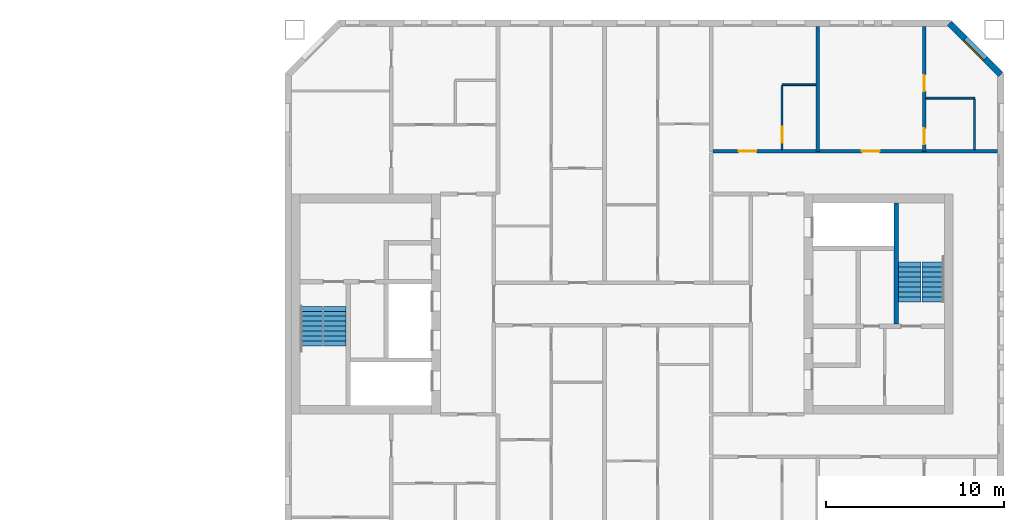
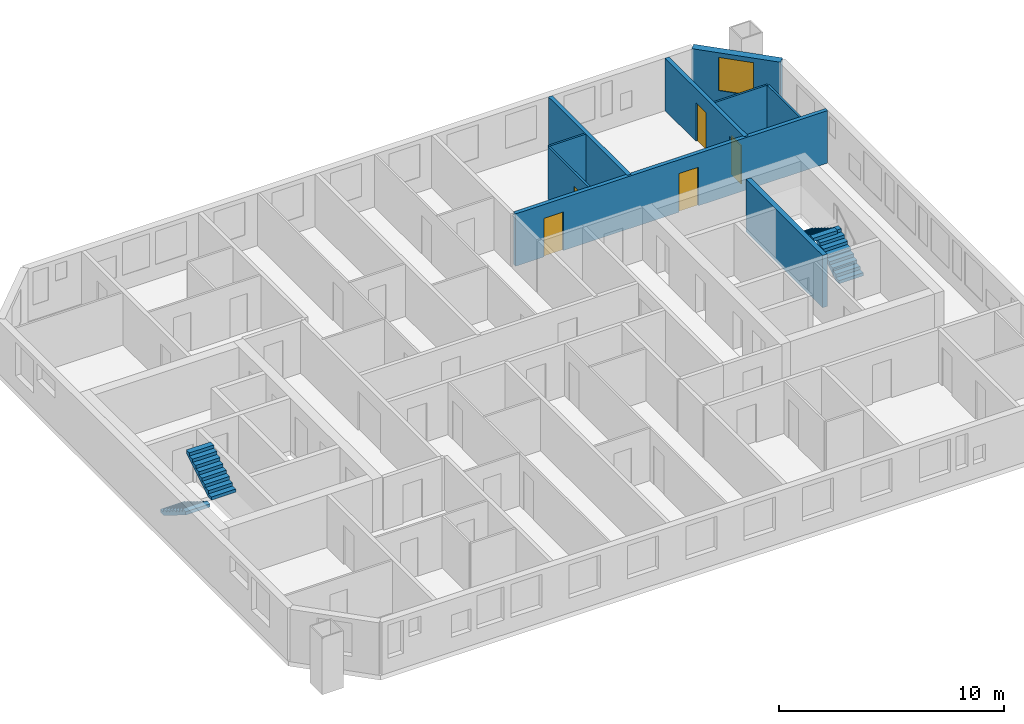
# One storey, part 14 of 16: 9 walls, 5 doors, 4 stair flights, 1 window, 6 openings, 2 elements without a shape of their own.
"""IFC4 building model written with IfcOpenShell, lengths in metres."""

from ifc_helpers import new_model, si_unit, direction, frame, frame_2d, origin, place, context, subcontext, project, spatial, polyline, rectangle, outline, extrude, material, layer, layer_set, type_object, element, fill, aggregate, save


model = new_model("IFC4")

# Units and contexts
model_context = context("Model", 3, precision=1e-05, world=origin(), true_north=direction((0.0, 1.0)))
body_context = subcontext(model_context, "Body", "Model", "MODEL_VIEW")
ifc_project = project(units=[si_unit("LENGTHUNIT", "METRE"), si_unit("AREAUNIT", "SQUARE_METRE"), si_unit("VOLUMEUNIT", "CUBIC_METRE"), si_unit("PLANEANGLEUNIT", "RADIAN"), si_unit("MASSUNIT", "GRAM", prefix="KILO")], contexts=[model_context])

# Site, building, storey
site_placement = place(None, origin())
site = spatial("IfcSite", under=ifc_project, at=site_placement, CompositionType="ELEMENT")
building_placement = place(site_placement, origin())
building = spatial("IfcBuilding", under=site, at=building_placement, Name="Tuart Gate Housing", CompositionType="ELEMENT")
storey_placement = place(building_placement, frame((0.0, 0.0, 151.60009765625)))
storey = spatial("IfcBuildingStorey", under=building, at=storey_placement, Name="L42", CompositionType="ELEMENT", Elevation=151.60009765625)

# Wall, opening, window
ifc_material_1 = material(Name="Brick", Category="masonry")
ifc_layer_1 = layer(ifc_material_1, 0.360107421875)
ifc_layer_set_1 = layer_set([ifc_layer_1], Name="Brick pier and spandrel wall 360")
wall_type_1 = type_object("IfcWallType", Name="Brick pier and spandrel wall 360", PredefinedType="STANDARD", material=ifc_layer_set_1)
wall_1_placement = place(storey_placement, frame((171.320068359375, 82.92529296875, 0.0), z_axis=(0.0, 0.0, 1.0), x_axis=(-0.707106781187, 0.707106781187, 0.0)))
wall_1 = element("IfcWall", 1, at=wall_1_placement, inside=storey, type_object=wall_type_1, Name="External wall B-NE L42", PredefinedType="STANDARD", context=body_context, shape_type="SweptSolid", body=[
    extrude(rectangle(XDim=4.09375, YDim=0.360107421875, at=frame_2d((2.046875, 0.0))), origin(), (0.0, 0.0, 1.0), 2.849853515625),
])
opening_1_placement = place(wall_1_placement, frame((1.2470703125, 0.0, 0.800048828125)))
opening_1 = element("IfcOpeningElement", 2, at=opening_1_placement, cuts=wall_1, Name="Opening W1", PredefinedType="OPENING", context=body_context, shape_type="SweptSolid", body=[
    extrude(rectangle(XDim=1.60009765625, YDim=1.800048828125, at=frame_2d((0.800048828125, 0.89990234375))), frame((0.0, 0.18994140625, 0.0), z_axis=(0.0, -1.0, 0.0), x_axis=(1.0, 0.0, 0.0)), (0.0, 0.0, 1.0), 0.380126953125),
])
ifc_material_2 = material(Name="Aluminium frame with clear glass", Category="aluminium")
window_type = type_object("IfcWindowType", Name="Punched window 1600 x 1800", PartitioningType="SINGLE_PANEL", PredefinedType="WINDOW", material=ifc_material_2)
window_placement = place(opening_1_placement, origin())
window = element("IfcWindow", 3, at=window_placement, inside=storey, type_object=window_type, Name="Window W1", OverallHeight=1.800048828125, OverallWidth=1.60009765625, PartitioningType="SINGLE_PANEL", PredefinedType="WINDOW", context=body_context, shape_type="SweptSolid", body=[
    extrude(rectangle(XDim=1.60009765625, YDim=1.800048828125, at=frame_2d((0.800048828125, 0.89990234375))), frame((0.0, 0.150146484375, 0.0), z_axis=(0.0, -1.0, 0.0), x_axis=(1.0, 0.0, 0.0)), (0.0, 0.0, 1.0), 0.06005859375),
])
fill(opening_1, window)

# Wall
ifc_material_3 = material(Name="Concrete C40", Category="concrete")
ifc_layer_2 = layer(ifc_material_3, 0.25)
ifc_layer_set_2 = layer_set([ifc_layer_2], Name="Core wall 250 C40")
wall_type_2 = type_object("IfcWallType", Name="Core wall 250 C40", PredefinedType="SHEAR", material=ifc_layer_set_2)
wall_2_placement = place(storey_placement, frame((165.43994140625, 75.699951171875, 0.0), z_axis=(0.0, 0.0, 1.0), x_axis=(0.0, -1.0, 0.0)))
element("IfcWall", 4, at=wall_2_placement, inside=storey, type_object=wall_type_2, Name="Core wall BK.7", PredefinedType="SHEAR", context=body_context, shape_type="SweptSolid", body=[
    extrude(rectangle(XDim=6.824951171875, YDim=0.25, at=frame_2d((3.41259765625, 0.0))), origin(), (0.0, 0.0, 1.0), 2.849853515625),
])

# Wall, openings, doors
ifc_material_4 = material(Name="Concrete masonry 15 MPa", Category="masonry")
ifc_layer_3 = layer(ifc_material_4, 0.199951171875)
ifc_layer_set_3 = layer_set([ifc_layer_3], Name="Corridor wall masonry 200")
wall_type_3 = type_object("IfcWallType", Name="Corridor wall masonry 200", PredefinedType="PARTITIONING", material=ifc_layer_set_3)
wall_3_placement = place(storey_placement, frame((155.10009765625, 78.60009765625, 0.0), z_axis=(0.0, 0.0, 1.0), x_axis=(1.0, 0.0, 0.0)))
wall_3 = element("IfcWall", 5, at=wall_3_placement, inside=storey, type_object=wall_type_3, Name="Corridor wall masonry 200", PredefinedType="PARTITIONING", context=body_context, shape_type="SweptSolid", body=[
    extrude(rectangle(XDim=16.039794921875, YDim=0.199951171875, at=frame_2d((8.02001953125, 0.0))), origin(), (0.0, 0.0, 1.0), 2.849853515625),
])
opening_2_placement = place(wall_3_placement, frame((1.449951171875, 0.0, 0.0)))
opening_2 = element("IfcOpeningElement", 6, at=opening_2_placement, cuts=wall_3, Name="Opening D1581", PredefinedType="OPENING", context=body_context, shape_type="SweptSolid", body=[
    extrude(rectangle(XDim=1.0, YDim=2.10009765625, at=frame_2d((0.5, 1.050048828125))), frame((0.0, 0.10986328125, 0.0), z_axis=(0.0, -1.0, 0.0), x_axis=(1.0, 0.0, 0.0)), (0.0, 0.0, 1.0), 0.219970703125),
])
opening_3_placement = place(wall_3_placement, frame((8.39990234375, 0.0, 0.0)))
opening_3 = element("IfcOpeningElement", 7, at=opening_3_placement, cuts=wall_3, Name="Opening D1582", PredefinedType="OPENING", context=body_context, shape_type="SweptSolid", body=[
    extrude(rectangle(XDim=1.0, YDim=2.10009765625, at=frame_2d((0.5, 1.050048828125))), frame((0.0, 0.10986328125, 0.0), z_axis=(0.0, -1.0, 0.0), x_axis=(1.0, 0.0, 0.0)), (0.0, 0.0, 1.0), 0.219970703125),
])
ifc_material_5 = material(Name="Timber door leaf in steel frame", Category="steel")
door_type_1 = type_object("IfcDoorType", Name="Flat entrance door 1000", OperationType="SINGLE_SWING_LEFT", PredefinedType="DOOR", material=ifc_material_5)
door_1_placement = place(opening_3_placement, origin())
door_1 = element("IfcDoor", 8, at=door_1_placement, inside=storey, type_object=door_type_1, Name="Flat entrance door", OperationType="SINGLE_SWING_LEFT", OverallHeight=2.10009765625, OverallWidth=1.0, PredefinedType="DOOR", context=body_context, shape_type="SweptSolid", body=[
    extrude(rectangle(XDim=1.0, YDim=2.10009765625, at=frame_2d((0.5, 1.050048828125))), frame((0.0, 0.02490234375, 0.0), z_axis=(0.0, -1.0, 0.0), x_axis=(1.0, 0.0, 0.0)), (0.0, 0.0, 1.0), 0.050048828125),
])
fill(opening_3, door_1)
ifc_material_6 = material(Name="Timber door leaf in steel frame", Category="steel")
door_type_2 = type_object("IfcDoorType", Name="Flat entrance door 1000 RH", OperationType="SINGLE_SWING_RIGHT", PredefinedType="DOOR", material=ifc_material_6)
door_2_placement = place(opening_2_placement, origin())
door_2 = element("IfcDoor", 9, at=door_2_placement, inside=storey, type_object=door_type_2, Name="Flat entrance door", OperationType="SINGLE_SWING_RIGHT", OverallHeight=2.10009765625, OverallWidth=1.0, PredefinedType="DOOR", context=body_context, shape_type="SweptSolid", body=[
    extrude(rectangle(XDim=1.0, YDim=2.10009765625, at=frame_2d((0.5, 1.050048828125))), frame((0.0, 0.02490234375, 0.0), z_axis=(0.0, -1.0, 0.0), x_axis=(1.0, 0.0, 0.0)), (0.0, 0.0, 1.0), 0.050048828125),
])
fill(opening_2, door_2)

# Walls
ifc_material_7 = material(Name="Gypsum board on steel studs", Category="steel")
ifc_layer_4 = layer(ifc_material_7, 0.10009765625)
ifc_layer_set_4 = layer_set([ifc_layer_4], Name="Partition 100")
wall_type_4 = type_object("IfcWallType", Name="Partition 100", PredefinedType="PARTITIONING", material=ifc_layer_set_4)
wall_4_placement = place(storey_placement, frame((167.10009765625, 81.60009765625, 0.0), z_axis=(0.0, 0.0, 1.0), x_axis=(1.0, 0.0, 0.0)))
element("IfcWall", 10, at=wall_4_placement, inside=storey, type_object=wall_type_4, Name="Partition 100", PredefinedType="PARTITIONING", context=body_context, shape_type="SweptSolid", body=[
    extrude(rectangle(XDim=2.739990234375, YDim=0.10009765625, at=frame_2d((1.3701171875, 0.0))), origin(), (0.0, 0.0, 1.0), 2.849853515625),
])
wall_5_placement = place(storey_placement, frame((159.0, 82.35009765625, 0.0), z_axis=(0.0, 0.0, 1.0), x_axis=(1.0, 0.0, 0.0)))
element("IfcWall", 11, at=wall_5_placement, inside=storey, type_object=wall_type_4, Name="Partition 100", PredefinedType="PARTITIONING", context=body_context, shape_type="SweptSolid", body=[
    extrude(rectangle(XDim=1.89990234375, YDim=0.10009765625, at=frame_2d((0.949951171875, 0.0))), origin(), (0.0, 0.0, 1.0), 2.849853515625),
])

# Wall, opening, door
wall_6_placement = place(storey_placement, frame((159.0, 78.699951171875, 0.0), z_axis=(0.0, 0.0, 1.0), x_axis=(0.0, 1.0, 0.0)))
wall_6 = element("IfcWall", 12, at=wall_6_placement, inside=storey, type_object=wall_type_4, Name="Partition 100", PredefinedType="PARTITIONING", context=body_context, shape_type="SweptSolid", body=[
    extrude(rectangle(XDim=3.60009765625, YDim=0.10009765625, at=frame_2d((1.800048828125, 0.0))), origin(), (0.0, 0.0, 1.0), 2.849853515625),
])
opening_4_placement = place(wall_6_placement, frame((0.39990234375, 0.0, 0.0)))
opening_4 = element("IfcOpeningElement", 13, at=opening_4_placement, cuts=wall_6, Name="Opening D1577", PredefinedType="OPENING", context=body_context, shape_type="SweptSolid", body=[
    extrude(rectangle(XDim=0.89990234375, YDim=2.10009765625, at=frame_2d((0.449951171875, 1.050048828125))), frame((0.0, 0.06005859375, 0.0), z_axis=(0.0, -1.0, 0.0), x_axis=(1.0, 0.0, 0.0)), (0.0, 0.0, 1.0), 0.1201171875),
])
ifc_material_8 = material(Name="Timber door leaf in steel frame", Category="steel")
door_type_3 = type_object("IfcDoorType", Name="Bathroom door 900 RH", OperationType="SINGLE_SWING_RIGHT", PredefinedType="DOOR", material=ifc_material_8)
door_3_placement = place(opening_4_placement, frame((0.89990234375, 0.0, 0.0), z_axis=(0.0, 0.0, 1.0), x_axis=(-1.0, 0.0, 0.0)))
door_3 = element("IfcDoor", 14, at=door_3_placement, inside=storey, type_object=door_type_3, Name="Bathroom door", OperationType="SINGLE_SWING_RIGHT", OverallHeight=2.10009765625, OverallWidth=0.89990234375, PredefinedType="DOOR", context=body_context, shape_type="SweptSolid", body=[
    extrude(rectangle(XDim=0.89990234375, YDim=2.10009765625, at=frame_2d((0.449951171875, 1.050048828125))), frame((0.0, 0.025146484375, 0.0), z_axis=(0.0, -1.0, 0.0), x_axis=(1.0, 0.0, 0.0)), (0.0, 0.0, 1.0), 0.050048828125),
])
fill(opening_4, door_3)

# Walls
wall_7_placement = place(storey_placement, frame((169.840087890625, 78.699951171875, 0.0), z_axis=(0.0, 0.0, 1.0), x_axis=(0.0, 1.0, 0.0)))
element("IfcWall", 15, at=wall_7_placement, inside=storey, type_object=wall_type_4, Name="Partition 100", PredefinedType="PARTITIONING", context=body_context, shape_type="SweptSolid", body=[
    extrude(rectangle(XDim=2.85009765625, YDim=0.10009765625, at=frame_2d((1.425048828125, 0.0))), origin(), (0.0, 0.0, 1.0), 2.849853515625),
])
ifc_material_9 = material(Name="Concrete C40", Category="concrete")
ifc_layer_5 = layer(ifc_material_9, 0.199951171875)
ifc_layer_set_5 = layer_set([ifc_layer_5], Name="Party wall concrete C40 200")
wall_type_5 = type_object("IfcWallType", Name="Party wall concrete C40 200", PredefinedType="SOLIDWALL", material=ifc_layer_set_5)
wall_8_placement = place(storey_placement, frame((161.0, 78.60009765625, 0.0), z_axis=(0.0, 0.0, 1.0), x_axis=(0.0, 1.0, 0.0)))
element("IfcWall", 16, at=wall_8_placement, inside=storey, type_object=wall_type_5, Name="Party wall concrete C40 200", PredefinedType="SOLIDWALL", context=body_context, shape_type="SweptSolid", body=[
    extrude(rectangle(XDim=7.039794921875, YDim=0.199951171875, at=frame_2d((3.52001953125, 0.0))), origin(), (0.0, 0.0, 1.0), 2.849853515625),
])

# Wall, openings, doors
wall_9_placement = place(storey_placement, frame((167.0, 78.60009765625, 0.0), z_axis=(0.0, 0.0, 1.0), x_axis=(0.0, 1.0, 0.0)))
wall_9 = element("IfcWall", 17, at=wall_9_placement, inside=storey, type_object=wall_type_5, Name="Party wall concrete C40 200", PredefinedType="SOLIDWALL", context=body_context, shape_type="SweptSolid", body=[
    extrude(rectangle(XDim=7.039794921875, YDim=0.199951171875, at=frame_2d((3.52001953125, 0.0))), origin(), (0.0, 0.0, 1.0), 2.849853515625),
])
opening_5_placement = place(wall_9_placement, frame((3.39990234375, 0.0, 0.0)))
opening_5 = element("IfcOpeningElement", 18, at=opening_5_placement, cuts=wall_9, Name="Opening D1574", PredefinedType="OPENING", context=body_context, shape_type="SweptSolid", body=[
    extrude(rectangle(XDim=0.89990234375, YDim=2.10009765625, at=frame_2d((0.449951171875, 1.050048828125))), frame((0.0, 0.10986328125, 0.0), z_axis=(0.0, -1.0, 0.0), x_axis=(1.0, 0.0, 0.0)), (0.0, 0.0, 1.0), 0.219970703125),
])
opening_6_placement = place(wall_9_placement, frame((0.39990234375, 0.0, 0.0)))
opening_6 = element("IfcOpeningElement", 19, at=opening_6_placement, cuts=wall_9, Name="Opening D1573", PredefinedType="OPENING", context=body_context, shape_type="SweptSolid", body=[
    extrude(rectangle(XDim=0.89990234375, YDim=2.10009765625, at=frame_2d((0.449951171875, 1.050048828125))), frame((0.0, 0.10986328125, 0.0), z_axis=(0.0, -1.0, 0.0), x_axis=(1.0, 0.0, 0.0)), (0.0, 0.0, 1.0), 0.219970703125),
])
door_4_placement = place(opening_6_placement, frame((0.89990234375, 0.0, 0.0), z_axis=(0.0, 0.0, 1.0), x_axis=(-1.0, 0.0, 0.0)))
door_4 = element("IfcDoor", 20, at=door_4_placement, inside=storey, type_object=door_type_3, Name="Bathroom door", OperationType="SINGLE_SWING_RIGHT", OverallHeight=2.10009765625, OverallWidth=0.89990234375, PredefinedType="DOOR", context=body_context, shape_type="SweptSolid", body=[
    extrude(rectangle(XDim=0.89990234375, YDim=2.10009765625, at=frame_2d((0.449951171875, 1.050048828125))), frame((0.0, 0.025146484375, 0.0), z_axis=(0.0, -1.0, 0.0), x_axis=(1.0, 0.0, 0.0)), (0.0, 0.0, 1.0), 0.050048828125),
])
fill(opening_6, door_4)
ifc_material_10 = material(Name="Timber door leaf in steel frame", Category="steel")
door_type_4 = type_object("IfcDoorType", Name="Internal door 900 RH", OperationType="SINGLE_SWING_RIGHT", PredefinedType="DOOR", material=ifc_material_10)
door_5_placement = place(opening_5_placement, frame((0.89990234375, 0.0, 0.0), z_axis=(0.0, 0.0, 1.0), x_axis=(-1.0, 0.0, 0.0)))
door_5 = element("IfcDoor", 21, at=door_5_placement, inside=storey, type_object=door_type_4, Name="Internal door", OperationType="SINGLE_SWING_RIGHT", OverallHeight=2.10009765625, OverallWidth=0.89990234375, PredefinedType="DOOR", context=body_context, shape_type="SweptSolid", body=[
    extrude(rectangle(XDim=0.89990234375, YDim=2.10009765625, at=frame_2d((0.449951171875, 1.050048828125))), frame((0.0, 0.025146484375, 0.0), z_axis=(0.0, -1.0, 0.0), x_axis=(1.0, 0.0, 0.0)), (0.0, 0.0, 1.0), 0.050048828125),
])
fill(opening_5, door_5)

# Stair, stair flights
ifc_material_11 = material(Name="Concrete C40", Category="concrete")
stair_type = type_object("IfcStairType", Name="Core stair 1250", PredefinedType="HALF_TURN_STAIR", material=ifc_material_11)
stair_1_placement = place(storey_placement, origin())
stair_1 = element("IfcStair", 22, at=stair_1_placement, inside=storey, type_object=stair_type, Name="Stair SB1", PredefinedType="HALF_TURN_STAIR")
ifc_material_12 = material(Name="Concrete C40", Category="concrete")
stair_flight_type = type_object("IfcStairFlightType", Name="Stair flight 1250, 9 risers 172 x 280", PredefinedType="STRAIGHT", material=ifc_material_12)
stair_flight_1_placement = place(storey_placement, frame((132.485107421875, 69.875, 0.0), z_axis=(0.0, 0.0, 1.0), x_axis=(0.0, -1.0, 0.0)))
stair_flight_1 = element("IfcStairFlight", 23, at=stair_flight_1_placement, type_object=stair_flight_type, Name="SB1 flight 1", NumberOfRisers=9, NumberOfTreads=8, PredefinedType="STRAIGHT", RiserHeight=0.172222222, TreadLength=0.28, context=body_context, shape_type="SweptSolid", body=[
    extrude(outline(polyline([(0.0, 0.0), (0.0, 0.172119140625), (0.280029296875, 0.172119140625), (0.280029296875, 0.344482421875), (0.56005859375, 0.344482421875), (0.56005859375, 0.5166015625), (0.840087890625, 0.5166015625), (0.840087890625, 0.68896484375), (1.1201171875, 0.68896484375), (1.1201171875, 0.861083984375), (1.39990234375, 0.861083984375), (1.39990234375, 1.033447265625), (1.679931640625, 1.033447265625), (1.679931640625, 1.20556640625), (1.9599609375, 1.20556640625), (1.9599609375, 1.377685546875), (2.239990234375, 1.377685546875), (2.239990234375, 1.550048828125), (2.239990234375, 1.201904296875), (0.2861328125, 0.0), (0.0, 0.0)])), frame((0.0, 0.625, 0.0), z_axis=(0.0, -1.0, 0.0), x_axis=(1.0, 0.0, 0.0)), (0.0, 0.0, 1.0), 1.25),
])
stair_flight_2_placement = place(storey_placement, frame((133.81005859375, 67.635009765625, 1.5498046875), z_axis=(0.0, 0.0, 1.0), x_axis=(0.0, 1.0, 0.0)))
stair_flight_2 = element("IfcStairFlight", 24, at=stair_flight_2_placement, type_object=stair_flight_type, Name="SB1 flight 2", NumberOfRisers=9, NumberOfTreads=8, PredefinedType="STRAIGHT", RiserHeight=0.172222222, TreadLength=0.28, context=body_context, shape_type="SweptSolid", body=[
    extrude(outline(polyline([(0.0, 0.0), (0.0, 0.172119140625), (0.280029296875, 0.172119140625), (0.280029296875, 0.344482421875), (0.56005859375, 0.344482421875), (0.56005859375, 0.5166015625), (0.840087890625, 0.5166015625), (0.840087890625, 0.68896484375), (1.1201171875, 0.68896484375), (1.1201171875, 0.861083984375), (1.39990234375, 0.861083984375), (1.39990234375, 1.033447265625), (1.679931640625, 1.033447265625), (1.679931640625, 1.20556640625), (1.9599609375, 1.20556640625), (1.9599609375, 1.377685546875), (2.239990234375, 1.377685546875), (2.239990234375, 1.550048828125), (2.239990234375, 1.201904296875), (0.2861328125, 0.0), (0.0, 0.0)])), frame((0.0, 0.625, 0.0), z_axis=(0.0, -1.0, 0.0), x_axis=(1.0, 0.0, 0.0)), (0.0, 0.0, 1.0), 1.25),
])
aggregate(stair_1, [stair_flight_1, stair_flight_2])

stair_2_placement = place(storey_placement, origin())
stair_2 = element("IfcStair", 25, at=stair_2_placement, inside=storey, type_object=stair_type, Name="Stair SB2", PredefinedType="HALF_TURN_STAIR")
stair_flight_3_placement = place(storey_placement, frame((167.514892578125, 70.125, 0.0), z_axis=(0.0, 0.0, 1.0), x_axis=(0.0, 1.0, 0.0)))
stair_flight_3 = element("IfcStairFlight", 26, at=stair_flight_3_placement, type_object=stair_flight_type, Name="SB2 flight 1", NumberOfRisers=9, NumberOfTreads=8, PredefinedType="STRAIGHT", RiserHeight=0.172222222, TreadLength=0.28, context=body_context, shape_type="SweptSolid", body=[
    extrude(outline(polyline([(0.0, 0.0), (0.0, 0.172119140625), (0.280029296875, 0.172119140625), (0.280029296875, 0.344482421875), (0.56005859375, 0.344482421875), (0.56005859375, 0.5166015625), (0.840087890625, 0.5166015625), (0.840087890625, 0.68896484375), (1.1201171875, 0.68896484375), (1.1201171875, 0.861083984375), (1.39990234375, 0.861083984375), (1.39990234375, 1.033447265625), (1.679931640625, 1.033447265625), (1.679931640625, 1.20556640625), (1.9599609375, 1.20556640625), (1.9599609375, 1.377685546875), (2.239990234375, 1.377685546875), (2.239990234375, 1.550048828125), (2.239990234375, 1.201904296875), (0.2861328125, 0.0), (0.0, 0.0)])), frame((0.0, 0.625, 0.0), z_axis=(0.0, -1.0, 0.0), x_axis=(1.0, 0.0, 0.0)), (0.0, 0.0, 1.0), 1.25),
])
stair_flight_4_placement = place(storey_placement, frame((166.18994140625, 72.364990234375, 1.5498046875), z_axis=(0.0, 0.0, 1.0), x_axis=(0.0, -1.0, 0.0)))
stair_flight_4 = element("IfcStairFlight", 27, at=stair_flight_4_placement, type_object=stair_flight_type, Name="SB2 flight 2", NumberOfRisers=9, NumberOfTreads=8, PredefinedType="STRAIGHT", RiserHeight=0.172222222, TreadLength=0.28, context=body_context, shape_type="SweptSolid", body=[
    extrude(outline(polyline([(0.0, 0.0), (0.0, 0.172119140625), (0.280029296875, 0.172119140625), (0.280029296875, 0.344482421875), (0.56005859375, 0.344482421875), (0.56005859375, 0.5166015625), (0.840087890625, 0.5166015625), (0.840087890625, 0.68896484375), (1.1201171875, 0.68896484375), (1.1201171875, 0.861083984375), (1.39990234375, 0.861083984375), (1.39990234375, 1.033447265625), (1.679931640625, 1.033447265625), (1.679931640625, 1.20556640625), (1.9599609375, 1.20556640625), (1.9599609375, 1.377685546875), (2.239990234375, 1.377685546875), (2.239990234375, 1.550048828125), (2.239990234375, 1.201904296875), (0.2861328125, 0.0), (0.0, 0.0)])), frame((0.0, 0.625, 0.0), z_axis=(0.0, -1.0, 0.0), x_axis=(1.0, 0.0, 0.0)), (0.0, 0.0, 1.0), 1.25),
])
aggregate(stair_2, [stair_flight_3, stair_flight_4])

save(model, "model.ifc")
